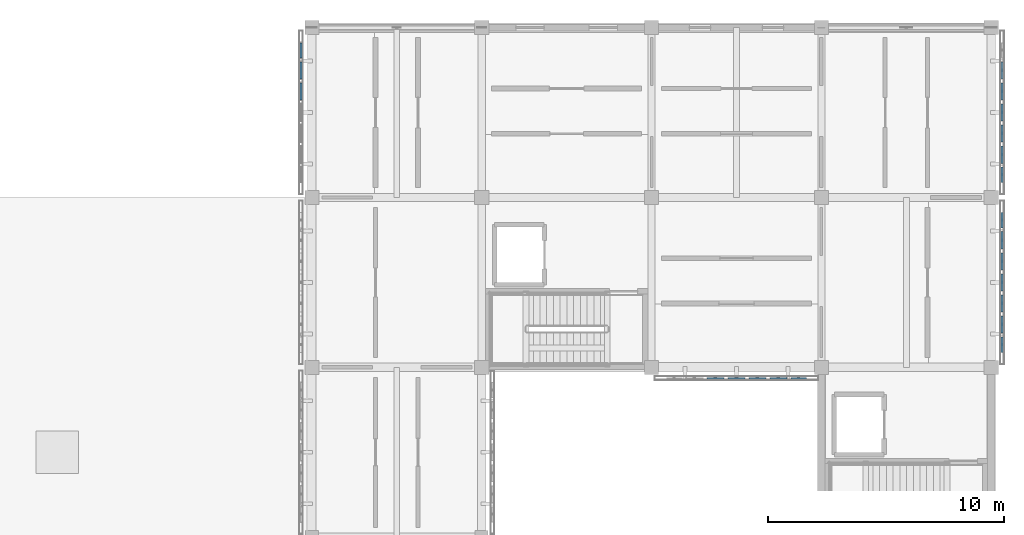
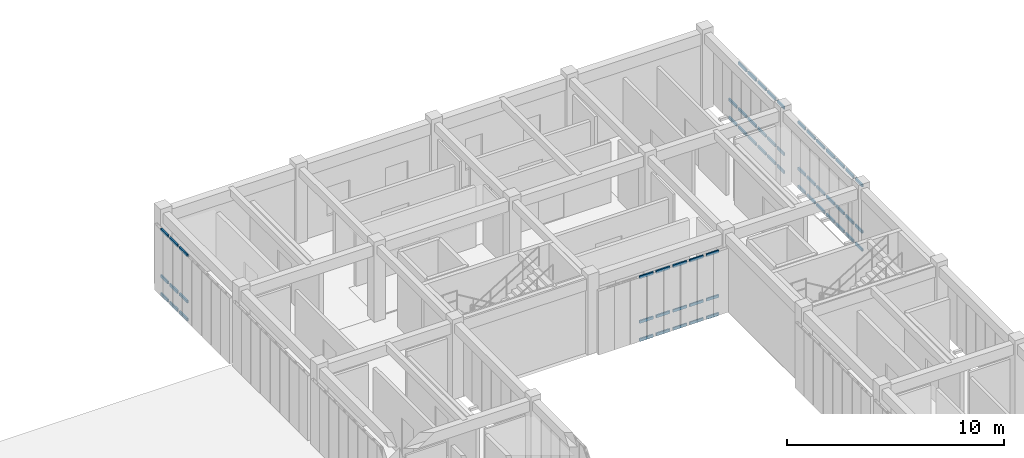
# One storey, part 41 of 91: 62 members, 4 elements without a shape of their own.
"""IFC4 building model written with IfcOpenShell, lengths in metres."""

from ifc_helpers import new_model, si_unit, direction, frame, origin, origin_2d, place, context, subcontext, project, spatial, hollow_rectangle, extrude, material, material_profile, profile_set, type_object, element, aggregate, save


model = new_model("IFC4")

# Units and contexts
model_context = context("Model", 3, precision=1e-05, world=origin(), true_north=direction((0.0, 1.0)))
body_context = subcontext(model_context, "Body", "Model", "MODEL_VIEW")
ifc_project = project(units=[si_unit("LENGTHUNIT", "METRE"), si_unit("AREAUNIT", "SQUARE_METRE"), si_unit("VOLUMEUNIT", "CUBIC_METRE"), si_unit("PLANEANGLEUNIT", "RADIAN"), si_unit("MASSUNIT", "GRAM", prefix="KILO")], contexts=[model_context])

# Site, building, storey
site_placement = place(None, origin())
site = spatial("IfcSite", under=ifc_project, at=site_placement, CompositionType="ELEMENT")
building_placement = place(site_placement, origin())
building = spatial("IfcBuilding", under=site, at=building_placement, Name="Aldebral Square Health Centre", CompositionType="ELEMENT")
storey_placement = place(building_placement, frame((0.0, 0.0, 9.0)))
storey = spatial("IfcBuildingStorey", under=building, at=storey_placement, Name="L02", CompositionType="ELEMENT", Elevation=9.0)

# Curtain wall, members
ifc_material_1 = material(Name="Aluminium and low-E solar glass", Category="aluminium")
curtain_wall_type = type_object("IfcCurtainWallType", Name="CW-FIN-SYS", PredefinedType="USERDEFINED", material=ifc_material_1)
curtain_wall_1_placement = place(storey_placement, origin())
curtain_wall_1 = element("IfcCurtainWall", 1, at=curtain_wall_1_placement, inside=storey, type_object=curtain_wall_type, Name="L02 V5 finned curtain wall L02-V5-19-15-W", ObjectType="SOLAR_CURTAIN_WALL", PredefinedType="USERDEFINED")
ifc_material_2 = material(Name="Anodised aluminium transom", Category="aluminium")
ifc_material_profile = material_profile(ifc_material_2, hollow_rectangle(XDim=0.074951171875, YDim=0.14990234375, WallThickness=0.00390625, at=origin_2d()), Name="CWT 75x150x4")
ifc_profile_set = profile_set([ifc_material_profile], Name="Anodised aluminium transom")
member_type = type_object("IfcMemberType", Name="CWT-STD", PredefinedType="USERDEFINED", material=ifc_profile_set)
member_1_placement = place(storey_placement, frame((136.340087890625, 114.56005859375, 0.03759765625), z_axis=(0.0, -1.0, 0.0), x_axis=(1.0, 0.0, 0.0)))
member_1 = element("IfcMember", 2, at=member_1_placement, type_object=member_type, Name="CW1 transom 1.1", ObjectType="TRANSOM", PredefinedType="USERDEFINED", context=body_context, shape_type="SweptSolid", body=[
    extrude(hollow_rectangle(XDim=0.074951171875, YDim=0.14990234375, WallThickness=0.00390625, at=origin_2d()), origin(), (0.0, 0.0, 1.0), 0.6513671875),
])
member_2_placement = place(storey_placement, frame((136.340087890625, 114.56005859375, 1.050048828125), z_axis=(0.0, -1.0, 0.0), x_axis=(1.0, 0.0, 0.0)))
member_2 = element("IfcMember", 3, at=member_2_placement, type_object=member_type, Name="CW1 transom 1.2", ObjectType="TRANSOM", PredefinedType="USERDEFINED", context=body_context, shape_type="SweptSolid", body=[
    extrude(hollow_rectangle(XDim=0.074951171875, YDim=0.14990234375, WallThickness=0.00390625, at=origin_2d()), origin(), (0.0, 0.0, 1.0), 0.6513671875),
])
member_3_placement = place(storey_placement, frame((136.340087890625, 114.56005859375, 3.652587890625), z_axis=(0.0, -1.0, 0.0), x_axis=(1.0, 0.0, 0.0)))
member_3 = element("IfcMember", 4, at=member_3_placement, type_object=member_type, Name="CW1 transom 1.3", ObjectType="TRANSOM", PredefinedType="USERDEFINED", context=body_context, shape_type="SweptSolid", body=[
    extrude(hollow_rectangle(XDim=0.074951171875, YDim=0.14990234375, WallThickness=0.00390625, at=origin_2d()), origin(), (0.0, 0.0, 1.0), 0.6513671875),
])
member_4_placement = place(storey_placement, frame((136.340087890625, 113.74853515625, 0.03759765625), z_axis=(0.0, -1.0, 0.0), x_axis=(1.0, 0.0, 0.0)))
member_4 = element("IfcMember", 5, at=member_4_placement, type_object=member_type, Name="CW1 transom 2.1", ObjectType="TRANSOM", PredefinedType="USERDEFINED", context=body_context, shape_type="SweptSolid", body=[
    extrude(hollow_rectangle(XDim=0.074951171875, YDim=0.14990234375, WallThickness=0.00390625, at=origin_2d()), origin(), (0.0, 0.0, 1.0), 0.7314453125),
])
member_5_placement = place(storey_placement, frame((136.340087890625, 113.74853515625, 1.050048828125), z_axis=(0.0, -1.0, 0.0), x_axis=(1.0, 0.0, 0.0)))
member_5 = element("IfcMember", 6, at=member_5_placement, type_object=member_type, Name="CW1 transom 2.2", ObjectType="TRANSOM", PredefinedType="USERDEFINED", context=body_context, shape_type="SweptSolid", body=[
    extrude(hollow_rectangle(XDim=0.074951171875, YDim=0.14990234375, WallThickness=0.00390625, at=origin_2d()), origin(), (0.0, 0.0, 1.0), 0.7314453125),
])
member_6_placement = place(storey_placement, frame((136.340087890625, 113.74853515625, 3.652587890625), z_axis=(0.0, -1.0, 0.0), x_axis=(1.0, 0.0, 0.0)))
member_6 = element("IfcMember", 7, at=member_6_placement, type_object=member_type, Name="CW1 transom 2.3", ObjectType="TRANSOM", PredefinedType="USERDEFINED", context=body_context, shape_type="SweptSolid", body=[
    extrude(hollow_rectangle(XDim=0.074951171875, YDim=0.14990234375, WallThickness=0.00390625, at=origin_2d()), origin(), (0.0, 0.0, 1.0), 0.7314453125),
])
member_7_placement = place(storey_placement, frame((136.340087890625, 112.857177734375, 0.03759765625), z_axis=(0.0, -1.0, 0.0), x_axis=(1.0, 0.0, 0.0)))
member_7 = element("IfcMember", 8, at=member_7_placement, type_object=member_type, Name="CW1 transom 3.1", ObjectType="TRANSOM", PredefinedType="USERDEFINED", context=body_context, shape_type="SweptSolid", body=[
    extrude(hollow_rectangle(XDim=0.074951171875, YDim=0.14990234375, WallThickness=0.00390625, at=origin_2d()), origin(), (0.0, 0.0, 1.0), 0.7314453125),
])
member_8_placement = place(storey_placement, frame((136.340087890625, 112.857177734375, 1.050048828125), z_axis=(0.0, -1.0, 0.0), x_axis=(1.0, 0.0, 0.0)))
member_8 = element("IfcMember", 9, at=member_8_placement, type_object=member_type, Name="CW1 transom 3.2", ObjectType="TRANSOM", PredefinedType="USERDEFINED", context=body_context, shape_type="SweptSolid", body=[
    extrude(hollow_rectangle(XDim=0.074951171875, YDim=0.14990234375, WallThickness=0.00390625, at=origin_2d()), origin(), (0.0, 0.0, 1.0), 0.7314453125),
])
member_9_placement = place(storey_placement, frame((136.340087890625, 112.857177734375, 3.652587890625), z_axis=(0.0, -1.0, 0.0), x_axis=(1.0, 0.0, 0.0)))
member_9 = element("IfcMember", 10, at=member_9_placement, type_object=member_type, Name="CW1 transom 3.3", ObjectType="TRANSOM", PredefinedType="USERDEFINED", context=body_context, shape_type="SweptSolid", body=[
    extrude(hollow_rectangle(XDim=0.074951171875, YDim=0.14990234375, WallThickness=0.00390625, at=origin_2d()), origin(), (0.0, 0.0, 1.0), 0.7314453125),
])
aggregate(curtain_wall_1, [member_1, member_2, member_3, member_4, member_5, member_6, member_7, member_8, member_9])

curtain_wall_2_placement = place(storey_placement, origin())
curtain_wall_2 = element("IfcCurtainWall", 11, at=curtain_wall_2_placement, inside=storey, type_object=curtain_wall_type, Name="L02 V5 finned curtain wall L02-V5-21-14-S", ObjectType="SOLAR_CURTAIN_WALL", PredefinedType="USERDEFINED")
member_10_placement = place(storey_placement, frame((153.54296875, 100.340087890625, 0.03759765625), z_axis=(1.0, 0.0, 0.0), x_axis=(0.0, 1.0, 0.0)))
member_10 = element("IfcMember", 12, at=member_10_placement, type_object=member_type, Name="CW1 transom 3.1", ObjectType="TRANSOM", PredefinedType="USERDEFINED", context=body_context, shape_type="SweptSolid", body=[
    extrude(hollow_rectangle(XDim=0.074951171875, YDim=0.14990234375, WallThickness=0.00390625, at=origin_2d()), origin(), (0.0, 0.0, 1.0), 0.731201171875),
])
member_11_placement = place(storey_placement, frame((153.54296875, 100.340087890625, 1.050048828125), z_axis=(1.0, 0.0, 0.0), x_axis=(0.0, 1.0, 0.0)))
member_11 = element("IfcMember", 13, at=member_11_placement, type_object=member_type, Name="CW1 transom 3.2", ObjectType="TRANSOM", PredefinedType="USERDEFINED", context=body_context, shape_type="SweptSolid", body=[
    extrude(hollow_rectangle(XDim=0.074951171875, YDim=0.14990234375, WallThickness=0.00390625, at=origin_2d()), origin(), (0.0, 0.0, 1.0), 0.731201171875),
])
member_12_placement = place(storey_placement, frame((153.54296875, 100.340087890625, 3.552490234375), z_axis=(1.0, 0.0, 0.0), x_axis=(0.0, 1.0, 0.0)))
member_12 = element("IfcMember", 14, at=member_12_placement, type_object=member_type, Name="CW1 transom 3.3", ObjectType="TRANSOM", PredefinedType="USERDEFINED", context=body_context, shape_type="SweptSolid", body=[
    extrude(hollow_rectangle(XDim=0.074951171875, YDim=0.14990234375, WallThickness=0.00390625, at=origin_2d()), origin(), (0.0, 0.0, 1.0), 0.731201171875),
])
member_13_placement = place(storey_placement, frame((154.434326171875, 100.340087890625, 0.03759765625), z_axis=(1.0, 0.0, 0.0), x_axis=(0.0, 1.0, 0.0)))
member_13 = element("IfcMember", 15, at=member_13_placement, type_object=member_type, Name="CW1 transom 4.1", ObjectType="TRANSOM", PredefinedType="USERDEFINED", context=body_context, shape_type="SweptSolid", body=[
    extrude(hollow_rectangle(XDim=0.074951171875, YDim=0.14990234375, WallThickness=0.00390625, at=origin_2d()), origin(), (0.0, 0.0, 1.0), 0.7314453125),
])
member_14_placement = place(storey_placement, frame((154.434326171875, 100.340087890625, 1.050048828125), z_axis=(1.0, 0.0, 0.0), x_axis=(0.0, 1.0, 0.0)))
member_14 = element("IfcMember", 16, at=member_14_placement, type_object=member_type, Name="CW1 transom 4.2", ObjectType="TRANSOM", PredefinedType="USERDEFINED", context=body_context, shape_type="SweptSolid", body=[
    extrude(hollow_rectangle(XDim=0.074951171875, YDim=0.14990234375, WallThickness=0.00390625, at=origin_2d()), origin(), (0.0, 0.0, 1.0), 0.7314453125),
])
member_15_placement = place(storey_placement, frame((154.434326171875, 100.340087890625, 3.552490234375), z_axis=(1.0, 0.0, 0.0), x_axis=(0.0, 1.0, 0.0)))
member_15 = element("IfcMember", 17, at=member_15_placement, type_object=member_type, Name="CW1 transom 4.3", ObjectType="TRANSOM", PredefinedType="USERDEFINED", context=body_context, shape_type="SweptSolid", body=[
    extrude(hollow_rectangle(XDim=0.074951171875, YDim=0.14990234375, WallThickness=0.00390625, at=origin_2d()), origin(), (0.0, 0.0, 1.0), 0.7314453125),
])
member_16_placement = place(storey_placement, frame((155.32568359375, 100.340087890625, 0.03759765625), z_axis=(1.0, 0.0, 0.0), x_axis=(0.0, 1.0, 0.0)))
member_16 = element("IfcMember", 18, at=member_16_placement, type_object=member_type, Name="CW1 transom 5.1", ObjectType="TRANSOM", PredefinedType="USERDEFINED", context=body_context, shape_type="SweptSolid", body=[
    extrude(hollow_rectangle(XDim=0.074951171875, YDim=0.14990234375, WallThickness=0.00390625, at=origin_2d()), origin(), (0.0, 0.0, 1.0), 0.7314453125),
])
member_17_placement = place(storey_placement, frame((155.32568359375, 100.340087890625, 1.050048828125), z_axis=(1.0, 0.0, 0.0), x_axis=(0.0, 1.0, 0.0)))
member_17 = element("IfcMember", 19, at=member_17_placement, type_object=member_type, Name="CW1 transom 5.2", ObjectType="TRANSOM", PredefinedType="USERDEFINED", context=body_context, shape_type="SweptSolid", body=[
    extrude(hollow_rectangle(XDim=0.074951171875, YDim=0.14990234375, WallThickness=0.00390625, at=origin_2d()), origin(), (0.0, 0.0, 1.0), 0.7314453125),
])
member_18_placement = place(storey_placement, frame((155.32568359375, 100.340087890625, 3.552490234375), z_axis=(1.0, 0.0, 0.0), x_axis=(0.0, 1.0, 0.0)))
member_18 = element("IfcMember", 20, at=member_18_placement, type_object=member_type, Name="CW1 transom 5.3", ObjectType="TRANSOM", PredefinedType="USERDEFINED", context=body_context, shape_type="SweptSolid", body=[
    extrude(hollow_rectangle(XDim=0.074951171875, YDim=0.14990234375, WallThickness=0.00390625, at=origin_2d()), origin(), (0.0, 0.0, 1.0), 0.7314453125),
])
member_19_placement = place(storey_placement, frame((156.217041015625, 100.340087890625, 0.03759765625), z_axis=(1.0, 0.0, 0.0), x_axis=(0.0, 1.0, 0.0)))
member_19 = element("IfcMember", 21, at=member_19_placement, type_object=member_type, Name="CW1 transom 6.1", ObjectType="TRANSOM", PredefinedType="USERDEFINED", context=body_context, shape_type="SweptSolid", body=[
    extrude(hollow_rectangle(XDim=0.074951171875, YDim=0.14990234375, WallThickness=0.00390625, at=origin_2d()), origin(), (0.0, 0.0, 1.0), 0.7314453125),
])
member_20_placement = place(storey_placement, frame((156.217041015625, 100.340087890625, 1.050048828125), z_axis=(1.0, 0.0, 0.0), x_axis=(0.0, 1.0, 0.0)))
member_20 = element("IfcMember", 22, at=member_20_placement, type_object=member_type, Name="CW1 transom 6.2", ObjectType="TRANSOM", PredefinedType="USERDEFINED", context=body_context, shape_type="SweptSolid", body=[
    extrude(hollow_rectangle(XDim=0.074951171875, YDim=0.14990234375, WallThickness=0.00390625, at=origin_2d()), origin(), (0.0, 0.0, 1.0), 0.7314453125),
])
member_21_placement = place(storey_placement, frame((156.217041015625, 100.340087890625, 3.552490234375), z_axis=(1.0, 0.0, 0.0), x_axis=(0.0, 1.0, 0.0)))
member_21 = element("IfcMember", 23, at=member_21_placement, type_object=member_type, Name="CW1 transom 6.3", ObjectType="TRANSOM", PredefinedType="USERDEFINED", context=body_context, shape_type="SweptSolid", body=[
    extrude(hollow_rectangle(XDim=0.074951171875, YDim=0.14990234375, WallThickness=0.00390625, at=origin_2d()), origin(), (0.0, 0.0, 1.0), 0.7314453125),
])
member_22_placement = place(storey_placement, frame((157.108642578125, 100.340087890625, 0.03759765625), z_axis=(1.0, 0.0, 0.0), x_axis=(0.0, 1.0, 0.0)))
member_22 = element("IfcMember", 24, at=member_22_placement, type_object=member_type, Name="CW1 transom 7.1", ObjectType="TRANSOM", PredefinedType="USERDEFINED", context=body_context, shape_type="SweptSolid", body=[
    extrude(hollow_rectangle(XDim=0.074951171875, YDim=0.14990234375, WallThickness=0.00390625, at=origin_2d()), origin(), (0.0, 0.0, 1.0), 0.6513671875),
])
member_23_placement = place(storey_placement, frame((157.108642578125, 100.340087890625, 1.050048828125), z_axis=(1.0, 0.0, 0.0), x_axis=(0.0, 1.0, 0.0)))
member_23 = element("IfcMember", 25, at=member_23_placement, type_object=member_type, Name="CW1 transom 7.2", ObjectType="TRANSOM", PredefinedType="USERDEFINED", context=body_context, shape_type="SweptSolid", body=[
    extrude(hollow_rectangle(XDim=0.074951171875, YDim=0.14990234375, WallThickness=0.00390625, at=origin_2d()), origin(), (0.0, 0.0, 1.0), 0.6513671875),
])
member_24_placement = place(storey_placement, frame((157.108642578125, 100.340087890625, 3.552490234375), z_axis=(1.0, 0.0, 0.0), x_axis=(0.0, 1.0, 0.0)))
member_24 = element("IfcMember", 26, at=member_24_placement, type_object=member_type, Name="CW1 transom 7.3", ObjectType="TRANSOM", PredefinedType="USERDEFINED", context=body_context, shape_type="SweptSolid", body=[
    extrude(hollow_rectangle(XDim=0.074951171875, YDim=0.14990234375, WallThickness=0.00390625, at=origin_2d()), origin(), (0.0, 0.0, 1.0), 0.6513671875),
])
aggregate(curtain_wall_2, [member_10, member_11, member_12, member_13, member_14, member_15, member_16, member_17, member_18, member_19, member_20, member_21, member_22, member_23, member_24])

curtain_wall_3_placement = place(storey_placement, origin())
curtain_wall_3 = element("IfcCurtainWall", 27, at=curtain_wall_3_placement, inside=storey, type_object=curtain_wall_type, Name="L02 V5 finned curtain wall L02-V5-22-14-E", ObjectType="SOLAR_CURTAIN_WALL", PredefinedType="USERDEFINED")
member_25_placement = place(storey_placement, frame((166.06005859375, 101.43994140625, 0.03759765625), z_axis=(0.0, 1.0, 0.0), x_axis=(-1.0, 0.0, 0.0)))
member_25 = element("IfcMember", 28, at=member_25_placement, type_object=member_type, Name="CW1 transom 1.1", ObjectType="TRANSOM", PredefinedType="USERDEFINED", context=body_context, shape_type="SweptSolid", body=[
    extrude(hollow_rectangle(XDim=0.074951171875, YDim=0.14990234375, WallThickness=0.00390625, at=origin_2d()), origin(), (0.0, 0.0, 1.0), 0.6513671875),
])
member_26_placement = place(storey_placement, frame((166.06005859375, 101.43994140625, 1.050048828125), z_axis=(0.0, 1.0, 0.0), x_axis=(-1.0, 0.0, 0.0)))
member_26 = element("IfcMember", 29, at=member_26_placement, type_object=member_type, Name="CW1 transom 1.2", ObjectType="TRANSOM", PredefinedType="USERDEFINED", context=body_context, shape_type="SweptSolid", body=[
    extrude(hollow_rectangle(XDim=0.074951171875, YDim=0.14990234375, WallThickness=0.00390625, at=origin_2d()), origin(), (0.0, 0.0, 1.0), 0.6513671875),
])
member_27_placement = place(storey_placement, frame((166.06005859375, 101.43994140625, 3.652587890625), z_axis=(0.0, 1.0, 0.0), x_axis=(-1.0, 0.0, 0.0)))
member_27 = element("IfcMember", 30, at=member_27_placement, type_object=member_type, Name="CW1 transom 1.3", ObjectType="TRANSOM", PredefinedType="USERDEFINED", context=body_context, shape_type="SweptSolid", body=[
    extrude(hollow_rectangle(XDim=0.074951171875, YDim=0.14990234375, WallThickness=0.00390625, at=origin_2d()), origin(), (0.0, 0.0, 1.0), 0.6513671875),
])
member_28_placement = place(storey_placement, frame((166.06005859375, 102.25146484375, 0.03759765625), z_axis=(0.0, 1.0, 0.0), x_axis=(-1.0, 0.0, 0.0)))
member_28 = element("IfcMember", 31, at=member_28_placement, type_object=member_type, Name="CW1 transom 2.1", ObjectType="TRANSOM", PredefinedType="USERDEFINED", context=body_context, shape_type="SweptSolid", body=[
    extrude(hollow_rectangle(XDim=0.074951171875, YDim=0.14990234375, WallThickness=0.00390625, at=origin_2d()), origin(), (0.0, 0.0, 1.0), 0.7314453125),
])
member_29_placement = place(storey_placement, frame((166.06005859375, 102.25146484375, 1.050048828125), z_axis=(0.0, 1.0, 0.0), x_axis=(-1.0, 0.0, 0.0)))
member_29 = element("IfcMember", 32, at=member_29_placement, type_object=member_type, Name="CW1 transom 2.2", ObjectType="TRANSOM", PredefinedType="USERDEFINED", context=body_context, shape_type="SweptSolid", body=[
    extrude(hollow_rectangle(XDim=0.074951171875, YDim=0.14990234375, WallThickness=0.00390625, at=origin_2d()), origin(), (0.0, 0.0, 1.0), 0.7314453125),
])
member_30_placement = place(storey_placement, frame((166.06005859375, 102.25146484375, 3.652587890625), z_axis=(0.0, 1.0, 0.0), x_axis=(-1.0, 0.0, 0.0)))
member_30 = element("IfcMember", 33, at=member_30_placement, type_object=member_type, Name="CW1 transom 2.3", ObjectType="TRANSOM", PredefinedType="USERDEFINED", context=body_context, shape_type="SweptSolid", body=[
    extrude(hollow_rectangle(XDim=0.074951171875, YDim=0.14990234375, WallThickness=0.00390625, at=origin_2d()), origin(), (0.0, 0.0, 1.0), 0.7314453125),
])
member_31_placement = place(storey_placement, frame((166.06005859375, 103.142822265625, 0.03759765625), z_axis=(0.0, 1.0, 0.0), x_axis=(-1.0, 0.0, 0.0)))
member_31 = element("IfcMember", 34, at=member_31_placement, type_object=member_type, Name="CW1 transom 3.1", ObjectType="TRANSOM", PredefinedType="USERDEFINED", context=body_context, shape_type="SweptSolid", body=[
    extrude(hollow_rectangle(XDim=0.074951171875, YDim=0.14990234375, WallThickness=0.00390625, at=origin_2d()), origin(), (0.0, 0.0, 1.0), 0.7314453125),
])
member_32_placement = place(storey_placement, frame((166.06005859375, 103.142822265625, 1.050048828125), z_axis=(0.0, 1.0, 0.0), x_axis=(-1.0, 0.0, 0.0)))
member_32 = element("IfcMember", 35, at=member_32_placement, type_object=member_type, Name="CW1 transom 3.2", ObjectType="TRANSOM", PredefinedType="USERDEFINED", context=body_context, shape_type="SweptSolid", body=[
    extrude(hollow_rectangle(XDim=0.074951171875, YDim=0.14990234375, WallThickness=0.00390625, at=origin_2d()), origin(), (0.0, 0.0, 1.0), 0.7314453125),
])
member_33_placement = place(storey_placement, frame((166.06005859375, 103.142822265625, 3.652587890625), z_axis=(0.0, 1.0, 0.0), x_axis=(-1.0, 0.0, 0.0)))
member_33 = element("IfcMember", 36, at=member_33_placement, type_object=member_type, Name="CW1 transom 3.3", ObjectType="TRANSOM", PredefinedType="USERDEFINED", context=body_context, shape_type="SweptSolid", body=[
    extrude(hollow_rectangle(XDim=0.074951171875, YDim=0.14990234375, WallThickness=0.00390625, at=origin_2d()), origin(), (0.0, 0.0, 1.0), 0.7314453125),
])
member_34_placement = place(storey_placement, frame((166.06005859375, 104.0341796875, 0.03759765625), z_axis=(0.0, 1.0, 0.0), x_axis=(-1.0, 0.0, 0.0)))
member_34 = element("IfcMember", 37, at=member_34_placement, type_object=member_type, Name="CW1 transom 4.1", ObjectType="TRANSOM", PredefinedType="USERDEFINED", context=body_context, shape_type="SweptSolid", body=[
    extrude(hollow_rectangle(XDim=0.074951171875, YDim=0.14990234375, WallThickness=0.00390625, at=origin_2d()), origin(), (0.0, 0.0, 1.0), 0.7314453125),
])
member_35_placement = place(storey_placement, frame((166.06005859375, 104.0341796875, 1.050048828125), z_axis=(0.0, 1.0, 0.0), x_axis=(-1.0, 0.0, 0.0)))
member_35 = element("IfcMember", 38, at=member_35_placement, type_object=member_type, Name="CW1 transom 4.2", ObjectType="TRANSOM", PredefinedType="USERDEFINED", context=body_context, shape_type="SweptSolid", body=[
    extrude(hollow_rectangle(XDim=0.074951171875, YDim=0.14990234375, WallThickness=0.00390625, at=origin_2d()), origin(), (0.0, 0.0, 1.0), 0.7314453125),
])
member_36_placement = place(storey_placement, frame((166.06005859375, 104.0341796875, 3.652587890625), z_axis=(0.0, 1.0, 0.0), x_axis=(-1.0, 0.0, 0.0)))
member_36 = element("IfcMember", 39, at=member_36_placement, type_object=member_type, Name="CW1 transom 4.3", ObjectType="TRANSOM", PredefinedType="USERDEFINED", context=body_context, shape_type="SweptSolid", body=[
    extrude(hollow_rectangle(XDim=0.074951171875, YDim=0.14990234375, WallThickness=0.00390625, at=origin_2d()), origin(), (0.0, 0.0, 1.0), 0.7314453125),
])
member_37_placement = place(storey_placement, frame((166.06005859375, 104.92578125, 0.03759765625), z_axis=(0.0, 1.0, 0.0), x_axis=(-1.0, 0.0, 0.0)))
member_37 = element("IfcMember", 40, at=member_37_placement, type_object=member_type, Name="CW1 transom 5.1", ObjectType="TRANSOM", PredefinedType="USERDEFINED", context=body_context, shape_type="SweptSolid", body=[
    extrude(hollow_rectangle(XDim=0.074951171875, YDim=0.14990234375, WallThickness=0.00390625, at=origin_2d()), origin(), (0.0, 0.0, 1.0), 0.7314453125),
])
member_38_placement = place(storey_placement, frame((166.06005859375, 104.92578125, 1.050048828125), z_axis=(0.0, 1.0, 0.0), x_axis=(-1.0, 0.0, 0.0)))
member_38 = element("IfcMember", 41, at=member_38_placement, type_object=member_type, Name="CW1 transom 5.2", ObjectType="TRANSOM", PredefinedType="USERDEFINED", context=body_context, shape_type="SweptSolid", body=[
    extrude(hollow_rectangle(XDim=0.074951171875, YDim=0.14990234375, WallThickness=0.00390625, at=origin_2d()), origin(), (0.0, 0.0, 1.0), 0.7314453125),
])
member_39_placement = place(storey_placement, frame((166.06005859375, 104.92578125, 3.652587890625), z_axis=(0.0, 1.0, 0.0), x_axis=(-1.0, 0.0, 0.0)))
member_39 = element("IfcMember", 42, at=member_39_placement, type_object=member_type, Name="CW1 transom 5.3", ObjectType="TRANSOM", PredefinedType="USERDEFINED", context=body_context, shape_type="SweptSolid", body=[
    extrude(hollow_rectangle(XDim=0.074951171875, YDim=0.14990234375, WallThickness=0.00390625, at=origin_2d()), origin(), (0.0, 0.0, 1.0), 0.7314453125),
])
member_40_placement = place(storey_placement, frame((166.06005859375, 105.817138671875, 0.03759765625), z_axis=(0.0, 1.0, 0.0), x_axis=(-1.0, 0.0, 0.0)))
member_40 = element("IfcMember", 43, at=member_40_placement, type_object=member_type, Name="CW1 transom 6.1", ObjectType="TRANSOM", PredefinedType="USERDEFINED", context=body_context, shape_type="SweptSolid", body=[
    extrude(hollow_rectangle(XDim=0.074951171875, YDim=0.14990234375, WallThickness=0.00390625, at=origin_2d()), origin(), (0.0, 0.0, 1.0), 0.7314453125),
])
member_41_placement = place(storey_placement, frame((166.06005859375, 105.817138671875, 1.050048828125), z_axis=(0.0, 1.0, 0.0), x_axis=(-1.0, 0.0, 0.0)))
member_41 = element("IfcMember", 44, at=member_41_placement, type_object=member_type, Name="CW1 transom 6.2", ObjectType="TRANSOM", PredefinedType="USERDEFINED", context=body_context, shape_type="SweptSolid", body=[
    extrude(hollow_rectangle(XDim=0.074951171875, YDim=0.14990234375, WallThickness=0.00390625, at=origin_2d()), origin(), (0.0, 0.0, 1.0), 0.7314453125),
])
member_42_placement = place(storey_placement, frame((166.06005859375, 105.817138671875, 3.652587890625), z_axis=(0.0, 1.0, 0.0), x_axis=(-1.0, 0.0, 0.0)))
member_42 = element("IfcMember", 45, at=member_42_placement, type_object=member_type, Name="CW1 transom 6.3", ObjectType="TRANSOM", PredefinedType="USERDEFINED", context=body_context, shape_type="SweptSolid", body=[
    extrude(hollow_rectangle(XDim=0.074951171875, YDim=0.14990234375, WallThickness=0.00390625, at=origin_2d()), origin(), (0.0, 0.0, 1.0), 0.7314453125),
])
member_43_placement = place(storey_placement, frame((166.06005859375, 106.70849609375, 0.03759765625), z_axis=(0.0, 1.0, 0.0), x_axis=(-1.0, 0.0, 0.0)))
member_43 = element("IfcMember", 46, at=member_43_placement, type_object=member_type, Name="CW1 transom 7.1", ObjectType="TRANSOM", PredefinedType="USERDEFINED", context=body_context, shape_type="SweptSolid", body=[
    extrude(hollow_rectangle(XDim=0.074951171875, YDim=0.14990234375, WallThickness=0.00390625, at=origin_2d()), origin(), (0.0, 0.0, 1.0), 0.651611328125),
])
member_44_placement = place(storey_placement, frame((166.06005859375, 106.70849609375, 1.050048828125), z_axis=(0.0, 1.0, 0.0), x_axis=(-1.0, 0.0, 0.0)))
member_44 = element("IfcMember", 47, at=member_44_placement, type_object=member_type, Name="CW1 transom 7.2", ObjectType="TRANSOM", PredefinedType="USERDEFINED", context=body_context, shape_type="SweptSolid", body=[
    extrude(hollow_rectangle(XDim=0.074951171875, YDim=0.14990234375, WallThickness=0.00390625, at=origin_2d()), origin(), (0.0, 0.0, 1.0), 0.651611328125),
])
member_45_placement = place(storey_placement, frame((166.06005859375, 106.70849609375, 3.652587890625), z_axis=(0.0, 1.0, 0.0), x_axis=(-1.0, 0.0, 0.0)))
member_45 = element("IfcMember", 48, at=member_45_placement, type_object=member_type, Name="CW1 transom 7.3", ObjectType="TRANSOM", PredefinedType="USERDEFINED", context=body_context, shape_type="SweptSolid", body=[
    extrude(hollow_rectangle(XDim=0.074951171875, YDim=0.14990234375, WallThickness=0.00390625, at=origin_2d()), origin(), (0.0, 0.0, 1.0), 0.651611328125),
])
aggregate(curtain_wall_3, [member_25, member_26, member_27, member_28, member_29, member_30, member_31, member_32, member_33, member_34, member_35, member_36, member_37, member_38, member_39, member_40, member_41, member_42, member_43, member_44, member_45])

curtain_wall_4_placement = place(storey_placement, origin())
curtain_wall_4 = element("IfcCurtainWall", 49, at=curtain_wall_4_placement, inside=storey, type_object=curtain_wall_type, Name="L02 V5 finned curtain wall L02-V5-22-15-E", ObjectType="SOLAR_CURTAIN_WALL", PredefinedType="USERDEFINED")
member_46_placement = place(storey_placement, frame((166.06005859375, 108.639892578125, 0.03759765625), z_axis=(0.0, 1.0, 0.0), x_axis=(-1.0, 0.0, 0.0)))
member_46 = element("IfcMember", 50, at=member_46_placement, type_object=member_type, Name="CW1 transom 1.1", ObjectType="TRANSOM", PredefinedType="USERDEFINED", context=body_context, shape_type="SweptSolid", body=[
    extrude(hollow_rectangle(XDim=0.074951171875, YDim=0.14990234375, WallThickness=0.00390625, at=origin_2d()), origin(), (0.0, 0.0, 1.0), 0.651611328125),
])
member_47_placement = place(storey_placement, frame((166.06005859375, 108.639892578125, 1.050048828125), z_axis=(0.0, 1.0, 0.0), x_axis=(-1.0, 0.0, 0.0)))
member_47 = element("IfcMember", 51, at=member_47_placement, type_object=member_type, Name="CW1 transom 1.2", ObjectType="TRANSOM", PredefinedType="USERDEFINED", context=body_context, shape_type="SweptSolid", body=[
    extrude(hollow_rectangle(XDim=0.074951171875, YDim=0.14990234375, WallThickness=0.00390625, at=origin_2d()), origin(), (0.0, 0.0, 1.0), 0.651611328125),
])
member_48_placement = place(storey_placement, frame((166.06005859375, 108.639892578125, 3.652587890625), z_axis=(0.0, 1.0, 0.0), x_axis=(-1.0, 0.0, 0.0)))
member_48 = element("IfcMember", 52, at=member_48_placement, type_object=member_type, Name="CW1 transom 1.3", ObjectType="TRANSOM", PredefinedType="USERDEFINED", context=body_context, shape_type="SweptSolid", body=[
    extrude(hollow_rectangle(XDim=0.074951171875, YDim=0.14990234375, WallThickness=0.00390625, at=origin_2d()), origin(), (0.0, 0.0, 1.0), 0.651611328125),
])
member_49_placement = place(storey_placement, frame((166.06005859375, 109.451416015625, 0.03759765625), z_axis=(0.0, 1.0, 0.0), x_axis=(-1.0, 0.0, 0.0)))
member_49 = element("IfcMember", 53, at=member_49_placement, type_object=member_type, Name="CW1 transom 2.1", ObjectType="TRANSOM", PredefinedType="USERDEFINED", context=body_context, shape_type="SweptSolid", body=[
    extrude(hollow_rectangle(XDim=0.074951171875, YDim=0.14990234375, WallThickness=0.00390625, at=origin_2d()), origin(), (0.0, 0.0, 1.0), 0.7314453125),
])
member_50_placement = place(storey_placement, frame((166.06005859375, 109.451416015625, 1.050048828125), z_axis=(0.0, 1.0, 0.0), x_axis=(-1.0, 0.0, 0.0)))
member_50 = element("IfcMember", 54, at=member_50_placement, type_object=member_type, Name="CW1 transom 2.2", ObjectType="TRANSOM", PredefinedType="USERDEFINED", context=body_context, shape_type="SweptSolid", body=[
    extrude(hollow_rectangle(XDim=0.074951171875, YDim=0.14990234375, WallThickness=0.00390625, at=origin_2d()), origin(), (0.0, 0.0, 1.0), 0.7314453125),
])
member_51_placement = place(storey_placement, frame((166.06005859375, 109.451416015625, 3.652587890625), z_axis=(0.0, 1.0, 0.0), x_axis=(-1.0, 0.0, 0.0)))
member_51 = element("IfcMember", 55, at=member_51_placement, type_object=member_type, Name="CW1 transom 2.3", ObjectType="TRANSOM", PredefinedType="USERDEFINED", context=body_context, shape_type="SweptSolid", body=[
    extrude(hollow_rectangle(XDim=0.074951171875, YDim=0.14990234375, WallThickness=0.00390625, at=origin_2d()), origin(), (0.0, 0.0, 1.0), 0.7314453125),
])
member_52_placement = place(storey_placement, frame((166.06005859375, 110.3427734375, 0.03759765625), z_axis=(0.0, 1.0, 0.0), x_axis=(-1.0, 0.0, 0.0)))
member_52 = element("IfcMember", 56, at=member_52_placement, type_object=member_type, Name="CW1 transom 3.1", ObjectType="TRANSOM", PredefinedType="USERDEFINED", context=body_context, shape_type="SweptSolid", body=[
    extrude(hollow_rectangle(XDim=0.074951171875, YDim=0.14990234375, WallThickness=0.00390625, at=origin_2d()), origin(), (0.0, 0.0, 1.0), 0.7314453125),
])
member_53_placement = place(storey_placement, frame((166.06005859375, 110.3427734375, 1.050048828125), z_axis=(0.0, 1.0, 0.0), x_axis=(-1.0, 0.0, 0.0)))
member_53 = element("IfcMember", 57, at=member_53_placement, type_object=member_type, Name="CW1 transom 3.2", ObjectType="TRANSOM", PredefinedType="USERDEFINED", context=body_context, shape_type="SweptSolid", body=[
    extrude(hollow_rectangle(XDim=0.074951171875, YDim=0.14990234375, WallThickness=0.00390625, at=origin_2d()), origin(), (0.0, 0.0, 1.0), 0.7314453125),
])
member_54_placement = place(storey_placement, frame((166.06005859375, 110.3427734375, 3.652587890625), z_axis=(0.0, 1.0, 0.0), x_axis=(-1.0, 0.0, 0.0)))
member_54 = element("IfcMember", 58, at=member_54_placement, type_object=member_type, Name="CW1 transom 3.3", ObjectType="TRANSOM", PredefinedType="USERDEFINED", context=body_context, shape_type="SweptSolid", body=[
    extrude(hollow_rectangle(XDim=0.074951171875, YDim=0.14990234375, WallThickness=0.00390625, at=origin_2d()), origin(), (0.0, 0.0, 1.0), 0.7314453125),
])
member_55_placement = place(storey_placement, frame((166.06005859375, 111.234375, 0.03759765625), z_axis=(0.0, 1.0, 0.0), x_axis=(-1.0, 0.0, 0.0)))
member_55 = element("IfcMember", 59, at=member_55_placement, type_object=member_type, Name="CW1 transom 4.1", ObjectType="TRANSOM", PredefinedType="USERDEFINED", context=body_context, shape_type="SweptSolid", body=[
    extrude(hollow_rectangle(XDim=0.074951171875, YDim=0.14990234375, WallThickness=0.00390625, at=origin_2d()), origin(), (0.0, 0.0, 1.0), 0.7314453125),
])
member_56_placement = place(storey_placement, frame((166.06005859375, 111.234375, 1.050048828125), z_axis=(0.0, 1.0, 0.0), x_axis=(-1.0, 0.0, 0.0)))
member_56 = element("IfcMember", 60, at=member_56_placement, type_object=member_type, Name="CW1 transom 4.2", ObjectType="TRANSOM", PredefinedType="USERDEFINED", context=body_context, shape_type="SweptSolid", body=[
    extrude(hollow_rectangle(XDim=0.074951171875, YDim=0.14990234375, WallThickness=0.00390625, at=origin_2d()), origin(), (0.0, 0.0, 1.0), 0.7314453125),
])
member_57_placement = place(storey_placement, frame((166.06005859375, 111.234375, 3.652587890625), z_axis=(0.0, 1.0, 0.0), x_axis=(-1.0, 0.0, 0.0)))
member_57 = element("IfcMember", 61, at=member_57_placement, type_object=member_type, Name="CW1 transom 4.3", ObjectType="TRANSOM", PredefinedType="USERDEFINED", context=body_context, shape_type="SweptSolid", body=[
    extrude(hollow_rectangle(XDim=0.074951171875, YDim=0.14990234375, WallThickness=0.00390625, at=origin_2d()), origin(), (0.0, 0.0, 1.0), 0.7314453125),
])
member_58_placement = place(storey_placement, frame((166.06005859375, 112.125732421875, 0.03759765625), z_axis=(0.0, 1.0, 0.0), x_axis=(-1.0, 0.0, 0.0)))
member_58 = element("IfcMember", 62, at=member_58_placement, type_object=member_type, Name="CW1 transom 5.1", ObjectType="TRANSOM", PredefinedType="USERDEFINED", context=body_context, shape_type="SweptSolid", body=[
    extrude(hollow_rectangle(XDim=0.074951171875, YDim=0.14990234375, WallThickness=0.00390625, at=origin_2d()), origin(), (0.0, 0.0, 1.0), 0.7314453125),
])
member_59_placement = place(storey_placement, frame((166.06005859375, 112.125732421875, 1.050048828125), z_axis=(0.0, 1.0, 0.0), x_axis=(-1.0, 0.0, 0.0)))
member_59 = element("IfcMember", 63, at=member_59_placement, type_object=member_type, Name="CW1 transom 5.2", ObjectType="TRANSOM", PredefinedType="USERDEFINED", context=body_context, shape_type="SweptSolid", body=[
    extrude(hollow_rectangle(XDim=0.074951171875, YDim=0.14990234375, WallThickness=0.00390625, at=origin_2d()), origin(), (0.0, 0.0, 1.0), 0.7314453125),
])
member_60_placement = place(storey_placement, frame((166.06005859375, 112.125732421875, 3.652587890625), z_axis=(0.0, 1.0, 0.0), x_axis=(-1.0, 0.0, 0.0)))
member_60 = element("IfcMember", 64, at=member_60_placement, type_object=member_type, Name="CW1 transom 5.3", ObjectType="TRANSOM", PredefinedType="USERDEFINED", context=body_context, shape_type="SweptSolid", body=[
    extrude(hollow_rectangle(XDim=0.074951171875, YDim=0.14990234375, WallThickness=0.00390625, at=origin_2d()), origin(), (0.0, 0.0, 1.0), 0.7314453125),
])
member_61_placement = place(storey_placement, frame((166.06005859375, 113.01708984375, 0.03759765625), z_axis=(0.0, 1.0, 0.0), x_axis=(-1.0, 0.0, 0.0)))
member_61 = element("IfcMember", 65, at=member_61_placement, type_object=member_type, Name="CW1 transom 6.1", ObjectType="TRANSOM", PredefinedType="USERDEFINED", context=body_context, shape_type="SweptSolid", body=[
    extrude(hollow_rectangle(XDim=0.074951171875, YDim=0.14990234375, WallThickness=0.00390625, at=origin_2d()), origin(), (0.0, 0.0, 1.0), 0.7314453125),
])
member_62_placement = place(storey_placement, frame((166.06005859375, 113.01708984375, 1.050048828125), z_axis=(0.0, 1.0, 0.0), x_axis=(-1.0, 0.0, 0.0)))
member_62 = element("IfcMember", 66, at=member_62_placement, type_object=member_type, Name="CW1 transom 6.2", ObjectType="TRANSOM", PredefinedType="USERDEFINED", context=body_context, shape_type="SweptSolid", body=[
    extrude(hollow_rectangle(XDim=0.074951171875, YDim=0.14990234375, WallThickness=0.00390625, at=origin_2d()), origin(), (0.0, 0.0, 1.0), 0.7314453125),
])
aggregate(curtain_wall_4, [member_46, member_47, member_48, member_49, member_50, member_51, member_52, member_53, member_54, member_55, member_56, member_57, member_58, member_59, member_60, member_61, member_62])

save(model, "model.ifc")
